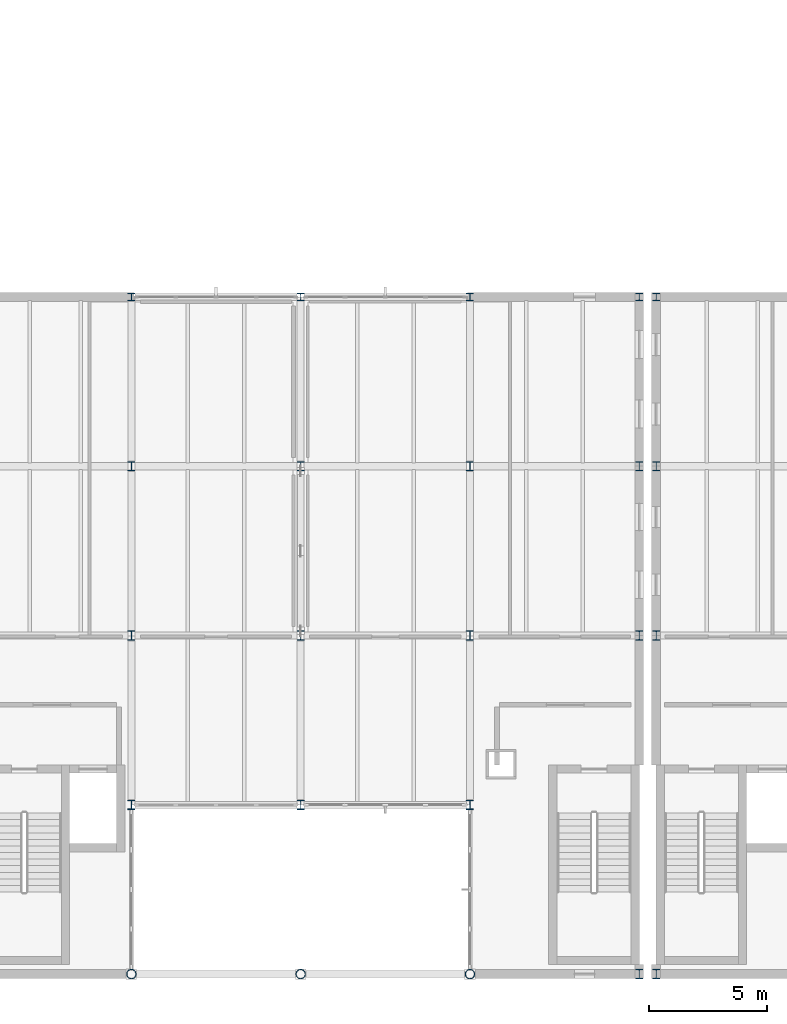
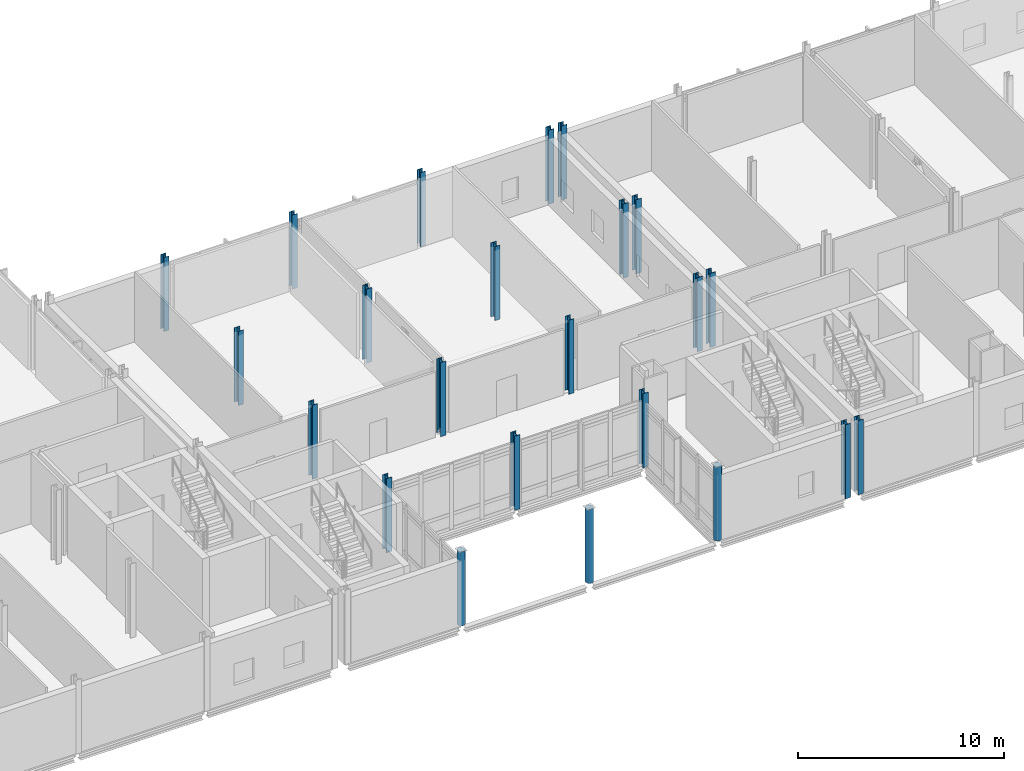
# One storey, part 2 of 76: 23 columns.
"""IFC4 building model written with IfcOpenShell, lengths in metres."""

from ifc_helpers import new_model, si_unit, direction, frame, origin, origin_2d, place, context, subcontext, project, spatial, hollow_circle, i_section, extrude, material, material_profile, profile_set, type_object, element, save


model = new_model("IFC4")

# Units and contexts
model_context = context("Model", 3, precision=1e-05, world=origin(), true_north=direction((0.0, 1.0)))
body_context = subcontext(model_context, "Body", "Model", "MODEL_VIEW")
ifc_project = project(units=[si_unit("LENGTHUNIT", "METRE"), si_unit("AREAUNIT", "SQUARE_METRE"), si_unit("VOLUMEUNIT", "CUBIC_METRE"), si_unit("PLANEANGLEUNIT", "RADIAN"), si_unit("MASSUNIT", "GRAM", prefix="KILO")], contexts=[model_context])

# Site, building, storey
site_placement = place(None, origin())
site = spatial("IfcSite", under=ifc_project, at=site_placement, CompositionType="ELEMENT")
building_placement = place(site_placement, origin())
building = spatial("IfcBuilding", under=site, at=building_placement, Name="Zarrinpeak Specialist Clinic", CompositionType="ELEMENT")
storey_placement = place(building_placement, frame((0.0, 0.0, 5.199951171875)))
storey = spatial("IfcBuildingStorey", under=building, at=storey_placement, Name="L01", CompositionType="ELEMENT", Elevation=5.199951171875)

# Columns
ifc_material = material(Name="Steel S355", Category="steel")
ifc_material_profile_1 = material_profile(ifc_material, hollow_circle(Radius=0.203125, WallThickness=0.01611328125, at=origin_2d()), Name="CHS 406.4x16.0")
ifc_profile_set_1 = profile_set([ifc_material_profile_1], Name="Steel S355")
column_type_1 = type_object("IfcColumnType", Name="COL-CHS406", PredefinedType="COLUMN", material=ifc_profile_set_1)
for number, where, z_axis, x_axis, name in (
    (1, (36.0, 0.0, 0.0), (0.0, 0.0, 1.0), (1.0, 0.0, 0.0), "L01 Structural Column COL-L01-069"),
    (2, (43.199951171875, 0.0, 0.0), (0.0, 0.0, 1.0), (1.0, 0.0, 0.0), "L01 Structural Column COL-L01-079"),
    (3, (50.39990234375, 0.0, 0.0), (0.0, 0.0, 1.0), (1.0, 0.0, 0.0), "L01 Structural Column COL-L01-090"),
):
    element("IfcColumn", number, at=place(storey_placement, frame(where, z_axis=z_axis, x_axis=x_axis)), inside=storey, type_object=column_type_1, Name=name, PredefinedType="COLUMN", context=body_context, shape_type="SweptSolid", body=[
        extrude(hollow_circle(Radius=0.203125, WallThickness=0.01611328125, at=origin_2d()), origin(), (0.0, 0.0, 1.0), 4.400146484375),
    ])
ifc_material_profile_2 = material_profile(ifc_material, i_section(OverallWidth=0.300048828125, OverallDepth=0.320068359375, WebThickness=0.011474609375, FlangeThickness=0.0205078125, FilletRadius=0.027099609375, at=origin_2d()), Name="HEB 320")
ifc_profile_set_2 = profile_set([ifc_material_profile_2], Name="Steel S355")
column_type_2 = type_object("IfcColumnType", Name="COL-HEB320", PredefinedType="COLUMN", material=ifc_profile_set_2)
for number, where, z_axis, x_axis, name in (
    (4, (36.0, 28.800048828125, 0.0), (0.0, 0.0, 1.0), (1.0, 0.0, 0.0), "L01 Structural Column COL-L01-073"),
    (5, (43.199951171875, 28.800048828125, 0.0), (0.0, 0.0, 1.0), (1.0, 0.0, 0.0), "L01 Structural Column COL-L01-083"),
    (6, (50.39990234375, 28.800048828125, 0.0), (0.0, 0.0, 1.0), (1.0, 0.0, 0.0), "L01 Structural Column COL-L01-094"),
    (7, (57.60009765625, 28.800048828125, 0.0), (0.0, 0.0, 1.0), (1.0, 0.0, 0.0), "L01 Structural Column COL-L01-104"),
    (8, (58.320068359375, 28.800048828125, 0.0), (0.0, 0.0, 1.0), (1.0, 0.0, 0.0), "L01 Structural Column COL-L01-114"),
):
    element("IfcColumn", number, at=place(storey_placement, frame(where, z_axis=z_axis, x_axis=x_axis)), inside=storey, type_object=column_type_2, Name=name, PredefinedType="COLUMN", context=body_context, shape_type="SweptSolid", body=[
        extrude(i_section(OverallWidth=0.300048828125, OverallDepth=0.320068359375, WebThickness=0.011474609375, FlangeThickness=0.0205078125, FilletRadius=0.027099609375, at=origin_2d()), origin(), (0.0, 0.0, 1.0), 4.400146484375),
    ])
ifc_material_profile_3 = material_profile(ifc_material, i_section(OverallWidth=0.300048828125, OverallDepth=0.39990234375, WebThickness=0.013427734375, FlangeThickness=0.02392578125, FilletRadius=0.027099609375, at=origin_2d()), Name="HEB 400")
ifc_profile_set_3 = profile_set([ifc_material_profile_3], Name="Steel S355")
column_type_3 = type_object("IfcColumnType", Name="COL-HEB400", PredefinedType="COLUMN", material=ifc_profile_set_3)
for number, where, z_axis, x_axis, name in (
    (9, (36.0, 7.199951171875, 0.0), (0.0, 0.0, 1.0), (1.0, 0.0, 0.0), "L01 Structural Column COL-L01-070"),
    (10, (36.0, 14.39990234375, 0.0), (0.0, 0.0, 1.0), (1.0, 0.0, 0.0), "L01 Structural Column COL-L01-071"),
    (11, (36.0, 21.60009765625, 0.0), (0.0, 0.0, 1.0), (1.0, 0.0, 0.0), "L01 Structural Column COL-L01-072"),
    (12, (43.199951171875, 7.199951171875, 0.0), (0.0, 0.0, 1.0), (1.0, 0.0, 0.0), "L01 Structural Column COL-L01-080"),
    (13, (43.199951171875, 14.39990234375, 0.0), (0.0, 0.0, 1.0), (1.0, 0.0, 0.0), "L01 Structural Column COL-L01-081"),
    (14, (43.199951171875, 21.60009765625, 0.0), (0.0, 0.0, 1.0), (1.0, 0.0, 0.0), "L01 Structural Column COL-L01-082"),
    (15, (50.39990234375, 7.199951171875, 0.0), (0.0, 0.0, 1.0), (1.0, 0.0, 0.0), "L01 Structural Column COL-L01-091"),
    (16, (50.39990234375, 14.39990234375, 0.0), (0.0, 0.0, 1.0), (1.0, 0.0, 0.0), "L01 Structural Column COL-L01-092"),
    (17, (50.39990234375, 21.60009765625, 0.0), (0.0, 0.0, 1.0), (1.0, 0.0, 0.0), "L01 Structural Column COL-L01-093"),
    (18, (57.60009765625, 0.0, 0.0), (0.0, 0.0, 1.0), (1.0, 0.0, 0.0), "L01 Structural Column COL-L01-101"),
    (19, (57.60009765625, 14.39990234375, 0.0), (0.0, 0.0, 1.0), (1.0, 0.0, 0.0), "L01 Structural Column COL-L01-102"),
    (20, (57.60009765625, 21.60009765625, 0.0), (0.0, 0.0, 1.0), (1.0, 0.0, 0.0), "L01 Structural Column COL-L01-103"),
    (21, (58.320068359375, 0.0, 0.0), (0.0, 0.0, 1.0), (1.0, 0.0, 0.0), "L01 Structural Column COL-L01-111"),
    (22, (58.320068359375, 14.39990234375, 0.0), (0.0, 0.0, 1.0), (1.0, 0.0, 0.0), "L01 Structural Column COL-L01-112"),
    (23, (58.320068359375, 21.60009765625, 0.0), (0.0, 0.0, 1.0), (1.0, 0.0, 0.0), "L01 Structural Column COL-L01-113"),
):
    element("IfcColumn", number, at=place(storey_placement, frame(where, z_axis=z_axis, x_axis=x_axis)), inside=storey, type_object=column_type_3, Name=name, PredefinedType="COLUMN", context=body_context, shape_type="SweptSolid", body=[
        extrude(i_section(OverallWidth=0.300048828125, OverallDepth=0.39990234375, WebThickness=0.013427734375, FlangeThickness=0.02392578125, FilletRadius=0.027099609375, at=origin_2d()), origin(), (0.0, 0.0, 1.0), 4.400146484375),
    ])

save(model, "model.ifc")
